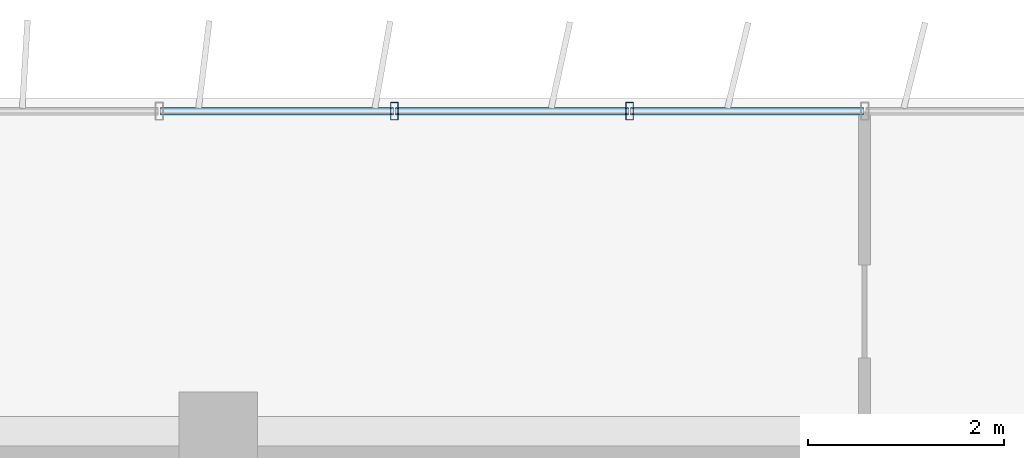
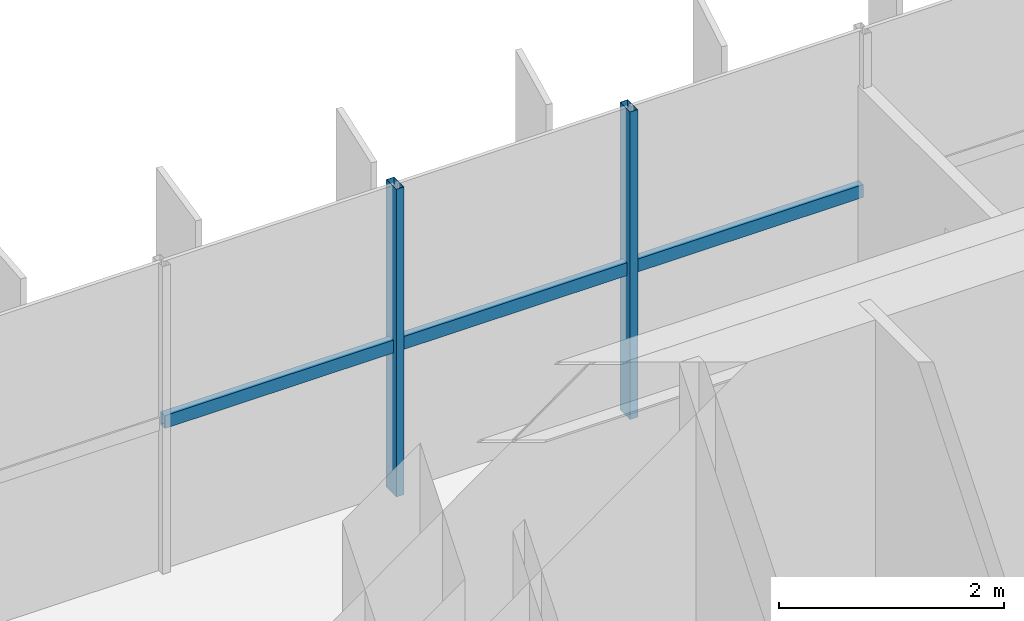
# One storey, part 7 of 21: 5 members, 1 element without a shape of its own.
"""IFC4 building model written with IfcOpenShell, lengths in metres."""

import ifcopenshell
import ifcopenshell.guid

model = None  # the IFC model being written
_history = None  # IfcOwnerHistory: only IFC2X3 demands one
_inside = {}  # id of a spatial element -> (the spatial element, [elements in it])
_under = {}  # id of a project, library or spatial element -> (it, [spatial elements below it])
_declared = {}  # id of a project -> (the project, [libraries it declares])
_typed = {}  # id of a type object -> (the type object, [elements of that type])
_made_of = {}  # id of a material, layer set ... -> (it, [elements and type objects made of it])


def new_model(schema):
    """Start an empty IFC model of exactly this schema.

    Asked for "IFC4X3", IfcOpenShell would pick the latest addendum, in which some entities
    have other attributes; the version numbers below select the first issue.
    IFC2X3 requires an IfcOwnerHistory on every rooted entity: one is made here for all.
    """
    global model, _history
    if schema == "IFC4X3":
        model = ifcopenshell.file(schema_version=(4, 3, 0, 0))
    else:
        model = ifcopenshell.file(schema=schema)
    _inside.clear()
    _under.clear()
    _declared.clear()
    _typed.clear()
    _made_of.clear()
    _history = None
    if model.schema == "IFC2X3":
        org = make("IfcOrganization", Name="unknown")
        user = make(
            "IfcPersonAndOrganization",
            ThePerson=make("IfcPerson", FamilyName="unknown"),
            TheOrganization=org,
        )
        app = make(
            "IfcApplication",
            ApplicationDeveloper=org,
            Version="unknown",
            ApplicationFullName="unknown",
            ApplicationIdentifier="unknown",
        )
        _history = make(
            "IfcOwnerHistory",
            OwningUser=user,
            OwningApplication=app,
            ChangeAction="ADDED",
            CreationDate=0,
        )
    return model


def make(cls, **values):
    """One entity of the class cls with the attributes given. An attribute that is None is left unset."""
    return model.create_entity(
        cls, **{name: value for name, value in values.items() if value is not None}
    )


def rooted(cls, **values):
    """An entity with a GlobalId (a new one), such as an element, a storey or a relation."""
    return make(cls, GlobalId=ifcopenshell.guid.new(), OwnerHistory=_history, **values)


def si_unit(unit_type, name, prefix=None):
    """IfcSIUnit, for example si_unit("LENGTHUNIT", "METRE", prefix="MILLI")."""
    return make("IfcSIUnit", UnitType=unit_type, Prefix=prefix, Name=name)


def assignment(units):
    """IfcUnitAssignment: the units of a project."""
    return None if units is None else make("IfcUnitAssignment", Units=units)


def point(xyz):
    """IfcCartesianPoint."""
    return None if xyz is None else make("IfcCartesianPoint", Coordinates=xyz)


def direction(xyz):
    """IfcDirection."""
    return None if xyz is None else make("IfcDirection", DirectionRatios=xyz)


def frame(location, z_axis=None, x_axis=None):
    """IfcAxis2Placement3D, a coordinate frame: its origin and axes. An axis left out is left unset."""
    return make(
        "IfcAxis2Placement3D",
        Location=point(location),
        Axis=direction(z_axis),
        RefDirection=direction(x_axis),
    )


def frame_2d(location, x_axis=None):
    """IfcAxis2Placement2D, a coordinate frame in the plane: its origin and x axis."""
    return make(
        "IfcAxis2Placement2D", Location=point(location), RefDirection=direction(x_axis)
    )


def origin():
    """The frame at (0, 0, 0) with its axes left unset."""
    return frame((0.0, 0.0, 0.0))


def origin_2d():
    """The frame at (0, 0) in the plane with its x axis left unset."""
    return frame_2d((0.0, 0.0))


def place(relative_to, where):
    """IfcLocalPlacement: puts the frame where relative to a parent placement (None: the world)."""
    return make(
        "IfcLocalPlacement", PlacementRelTo=relative_to, RelativePlacement=where
    )


def context(
    kind, dimensions, precision=None, world=None, true_north=None, identifier=None
):
    """IfcGeometricRepresentationContext, for example the 3D "Model" context."""
    return make(
        "IfcGeometricRepresentationContext",
        ContextIdentifier=identifier,
        ContextType=kind,
        CoordinateSpaceDimension=dimensions,
        Precision=precision,
        WorldCoordinateSystem=world,
        TrueNorth=true_north,
    )


def subcontext(parent, identifier, kind, view, scale=None):
    """IfcGeometricRepresentationSubContext, for example "Body" below "Model"."""
    return make(
        "IfcGeometricRepresentationSubContext",
        ContextIdentifier=identifier,
        ContextType=kind,
        ParentContext=parent,
        TargetScale=scale,
        TargetView=view,
    )


def project(units=None, contexts=None):
    """IfcProject with its units and contexts."""
    return rooted(
        "IfcProject",
        Name="project",
        RepresentationContexts=contexts,
        UnitsInContext=assignment(units),
    )


def spatial(cls, under=None, at=None, **own):
    """A site, building, storey or space (cls), placed at a placement, below another one or the project."""
    s = rooted(cls, ObjectPlacement=at, **own)
    if under is not None:
        _under.setdefault(under.id(), (under, []))[1].append(s)
    return s


def profile(cls, at=None, kind="AREA", **sizes):
    """A parametric profile (cls). Its sizes go by their IFC names, for example OverallWidth=200.0."""
    return make(cls, ProfileType=kind, Position=at, **sizes)


def hollow_rectangle(**sizes):
    """IfcRectangleHollowProfileDef."""
    return profile("IfcRectangleHollowProfileDef", **sizes)


def extrude(swept, where, along, depth):
    """IfcExtrudedAreaSolid: the profile swept, set in the frame where, extruded along a direction by depth."""
    return make(
        "IfcExtrudedAreaSolid",
        SweptArea=swept,
        Position=where,
        ExtrudedDirection=direction(along),
        Depth=depth,
    )


def shape(context_of_items, identifier, shape_type, items):
    """IfcShapeRepresentation: the items that make up one representation, for example the "Body"."""
    return make(
        "IfcShapeRepresentation",
        ContextOfItems=context_of_items,
        RepresentationIdentifier=identifier,
        RepresentationType=shape_type,
        Items=items,
    )


def source(mapping_origin, context_of_items, identifier, shape_type, items):
    """IfcRepresentationMap: a shape defined once, which mapped items show again and again."""
    return make(
        "IfcRepresentationMap",
        MappingOrigin=mapping_origin,
        MappedRepresentation=shape(context_of_items, identifier, shape_type, items),
    )


def transform(
    local_origin,
    x_axis=None,
    y_axis=None,
    z_axis=None,
    scale=None,
    scale2=None,
    scale3=None,
    uniform=True,
):
    """IfcCartesianTransformationOperator3D, or its non-uniform kind. x_axis, y_axis, z_axis: its Axis1, 2, 3."""
    if uniform:
        return make(
            "IfcCartesianTransformationOperator3D",
            Axis1=direction(x_axis),
            Axis2=direction(y_axis),
            LocalOrigin=point(local_origin),
            Scale=scale,
            Axis3=direction(z_axis),
        )
    return make(
        "IfcCartesianTransformationOperator3DnonUniform",
        Axis1=direction(x_axis),
        Axis2=direction(y_axis),
        LocalOrigin=point(local_origin),
        Scale=scale,
        Axis3=direction(z_axis),
        Scale2=scale2,
        Scale3=scale3,
    )


def mapped(mapping_source, mapping_target):
    """IfcMappedItem: shows the shape of a source again, moved by a transform."""
    return make(
        "IfcMappedItem", MappingSource=mapping_source, MappingTarget=mapping_target
    )


def material(Name=None, Category=None):
    """IfcMaterial."""
    return make("IfcMaterial", Name=Name, Category=Category)


def material_profile(
    of_material, cross_section, Name=None, Category=None, Priority=None
):
    """IfcMaterialProfile: a cross section and its material."""
    return make(
        "IfcMaterialProfile",
        Name=Name,
        Material=of_material,
        Profile=cross_section,
        Priority=Priority,
        Category=Category,
    )


def profile_set(profiles, Name=None, composite=None):
    """IfcMaterialProfileSet."""
    return make(
        "IfcMaterialProfileSet",
        Name=Name,
        MaterialProfiles=profiles,
        CompositeProfile=composite,
    )


def made_of(thing, what):
    """Note that an element or type object is made of a material, layer set ...; save() writes the relation."""
    if what is not None:
        _made_of.setdefault(what.id(), (what, []))[1].append(thing)
    return thing


def type_object(cls, material=None, **own):
    """A type object (cls), such as IfcWallType, which elements share."""
    return made_of(rooted(cls, **own), material)


def element(
    cls,
    number,
    at=None,
    inside=None,
    cuts=None,
    type_object=None,
    material=None,
    context=None,
    identifier="Body",
    shape_type=None,
    held_by="IfcProductDefinitionShape",
    body=None,
    shapes=None,
    **own,
):
    """One element of the class cls, such as IfcWall. Its Tag is "e" and its number.

    at: its placement. inside: the storey or other place that contains it. cuts: it is an
    opening in that element (IfcRelVoidsElement). A single representation is given by context,
    identifier, shape_type and body (its items); several are given by shapes. held_by: the class
    of the entity that holds the representations. save() writes the other relations.
    """
    e = rooted(cls, Tag="e%d" % number, ObjectPlacement=at, **own)
    if body is not None:
        shapes = [shape(context, identifier, shape_type, body)]
    if shapes is not None:
        e.Representation = make(held_by, Representations=shapes)
    if inside is not None:
        _inside.setdefault(inside.id(), (inside, []))[1].append(e)
    if cuts is not None:
        rooted(
            "IfcRelVoidsElement", RelatingBuildingElement=cuts, RelatedOpeningElement=e
        )
    if type_object is not None:
        _typed.setdefault(type_object.id(), (type_object, []))[1].append(e)
    return made_of(e, material)


def aggregate(whole, parts):
    """IfcRelAggregates: a whole, such as a stair, and the parts it consists of."""
    return rooted("IfcRelAggregates", RelatingObject=whole, RelatedObjects=parts)


def save(model, path):
    """Write the relations noted so far, then the file.

    IfcRelAggregates (storeys below a building ...), IfcRelContainedInSpatialStructure (elements
    in a storey), IfcRelDefinesByType, IfcRelAssociatesMaterial and IfcRelDeclares: one each for
    every whole, place, type object, material and project.
    """
    for whole, parts in _under.values():
        aggregate(whole, parts)
    for where, things in _inside.values():
        rooted(
            "IfcRelContainedInSpatialStructure",
            RelatedElements=things,
            RelatingStructure=where,
        )
    for kind, things in _typed.values():
        rooted("IfcRelDefinesByType", RelatedObjects=things, RelatingType=kind)
    for what, things in _made_of.values():
        rooted("IfcRelAssociatesMaterial", RelatedObjects=things, RelatingMaterial=what)
    for by, libraries in _declared.values():
        rooted("IfcRelDeclares", RelatingContext=by, RelatedDefinitions=libraries)
    model.write(path)


model = new_model("IFC4")

# Units and contexts
model_context = context("Model", 3, precision=1e-05, world=origin(), true_north=direction((0.0, 1.0)))
body_context = subcontext(model_context, "Body", "Model", "MODEL_VIEW")
ifc_project = project(units=[si_unit("LENGTHUNIT", "METRE"), si_unit("AREAUNIT", "SQUARE_METRE"), si_unit("VOLUMEUNIT", "CUBIC_METRE"), si_unit("PLANEANGLEUNIT", "RADIAN"), si_unit("MASSUNIT", "GRAM", prefix="KILO")], contexts=[model_context])

# Site, building, storey
site_placement = place(None, origin())
site = spatial("IfcSite", under=ifc_project, at=site_placement, CompositionType="ELEMENT")
building_placement = place(site_placement, origin())
building = spatial("IfcBuilding", under=site, at=building_placement, Name="Trelvane Seafront Commons", CompositionType="ELEMENT")
storey_placement = place(building_placement, frame((0.0, 0.0, 103.300048828125)))
storey = spatial("IfcBuildingStorey", under=building, at=storey_placement, Name="L26", CompositionType="ELEMENT", Elevation=103.300048828125)

# Curtain wall, members
ifc_material = material(Name="Anodised pale-silver aluminium", Category="aluminium")
curtain_wall_type = type_object("IfcCurtainWallType", Name="ARCH-CW4-SKYLOBBY", PredefinedType="NOTDEFINED", material=ifc_material)
curtain_wall_placement = place(storey_placement, origin())
curtain_wall = element("IfcCurtainWall", 1, at=curtain_wall_placement, inside=storey, type_object=curtain_wall_type, Name="CW-L26-0051", PredefinedType="NOTDEFINED")
ifc_material_profile_1 = material_profile(ifc_material, hollow_rectangle(XDim=0.074951171875, YDim=0.139892578125, WallThickness=0.00390625, at=origin_2d()), Name="TRAN-75x140x4")
ifc_profile_set_1 = profile_set([ifc_material_profile_1], Name="Anodised pale-silver aluminium")
member_type_1 = type_object("IfcMemberType", Name="ARCH-CW-TRAN-140", PredefinedType="USERDEFINED", material=ifc_profile_set_1)
shared_shape_1 = source(origin(), body_context, "Body", "SweptSolid", [
    extrude(hollow_rectangle(XDim=0.074951171875, YDim=0.139892578125, WallThickness=0.00390625, at=origin_2d()), origin(), (0.0, 0.0, 1.0), 2.3759765625),
])
member_1_placement = place(storey_placement, frame((30.011962890625, 48.3701171875, 1.60302734375), z_axis=(1.0, 0.0, 0.0), x_axis=(0.0, 1.0, 0.0)))
member_1 = element("IfcMember", 2, at=member_1_placement, type_object=member_type_1, Name="CW-L26-0051-T06", ObjectType="TRANSOM", PredefinedType="USERDEFINED", context=body_context, shape_type="MappedRepresentation", body=[
    mapped(shared_shape_1, transform((0.0, 0.0, 0.0), x_axis=(1.0, 0.0, 0.0), y_axis=(0.0, 1.0, 0.0), z_axis=(0.0, 0.0, 1.0), scale=1.0)),
])
member_2_placement = place(storey_placement, frame((32.412109375, 48.3701171875, 1.60302734375), z_axis=(1.0, 0.0, 0.0), x_axis=(0.0, 1.0, 0.0)))
member_2 = element("IfcMember", 3, at=member_2_placement, type_object=member_type_1, Name="CW-L26-0051-T07", ObjectType="TRANSOM", PredefinedType="USERDEFINED", context=body_context, shape_type="MappedRepresentation", body=[
    mapped(shared_shape_1, transform((0.0, 0.0, 0.0), x_axis=(1.0, 0.0, 0.0), y_axis=(0.0, 1.0, 0.0), z_axis=(0.0, 0.0, 1.0), scale=1.0)),
])
member_3_placement = place(storey_placement, frame((34.81201171875, 48.3701171875, 1.60302734375), z_axis=(1.0, 0.0, 0.0), x_axis=(0.0, 1.0, 0.0)))
member_3 = element("IfcMember", 4, at=member_3_placement, type_object=member_type_1, Name="CW-L26-0051-T08", ObjectType="TRANSOM", PredefinedType="USERDEFINED", context=body_context, shape_type="MappedRepresentation", body=[
    mapped(shared_shape_1, transform((0.0, 0.0, 0.0), x_axis=(1.0, 0.0, 0.0), y_axis=(0.0, 1.0, 0.0), z_axis=(0.0, 0.0, 1.0), scale=1.0)),
])
ifc_material_profile_2 = material_profile(ifc_material, hollow_rectangle(XDim=0.080078125, YDim=0.179931640625, WallThickness=0.00439453125, at=origin_2d()), Name="MULL-80x180x4.5")
ifc_profile_set_2 = profile_set([ifc_material_profile_2], Name="Anodised pale-silver aluminium")
member_type_2 = type_object("IfcMemberType", Name="ARCH-CW-MULL-180", PredefinedType="MULLION", material=ifc_profile_set_2)
shared_shape_2 = source(origin(), body_context, "Body", "SweptSolid", [
    extrude(hollow_rectangle(XDim=0.080078125, YDim=0.179931640625, WallThickness=0.00439453125, at=origin_2d()), origin(), (0.0, 0.0, 1.0), 3.33984375),
])
member_4_placement = place(storey_placement, frame((32.39990234375, 48.3701171875, 0.0), z_axis=(0.0, 0.0, 1.0), x_axis=(1.0, 0.0, 0.0)))
member_4 = element("IfcMember", 5, at=member_4_placement, type_object=member_type_2, Name="CW-L26-0051-M07", PredefinedType="MULLION", context=body_context, shape_type="MappedRepresentation", body=[
    mapped(shared_shape_2, transform((0.0, 0.0, 0.0), x_axis=(1.0, 0.0, 0.0), y_axis=(0.0, 1.0, 0.0), z_axis=(0.0, 0.0, 1.0), scale=1.0)),
])
member_5_placement = place(storey_placement, frame((34.800048828125, 48.3701171875, 0.0), z_axis=(0.0, 0.0, 1.0), x_axis=(1.0, 0.0, 0.0)))
member_5 = element("IfcMember", 6, at=member_5_placement, type_object=member_type_2, Name="CW-L26-0051-M08", PredefinedType="MULLION", context=body_context, shape_type="MappedRepresentation", body=[
    mapped(shared_shape_2, transform((0.0, 0.0, 0.0), x_axis=(1.0, 0.0, 0.0), y_axis=(0.0, 1.0, 0.0), z_axis=(0.0, 0.0, 1.0), scale=1.0)),
])
aggregate(curtain_wall, [member_4, member_5, member_1, member_2, member_3])

save(model, "model.ifc")
